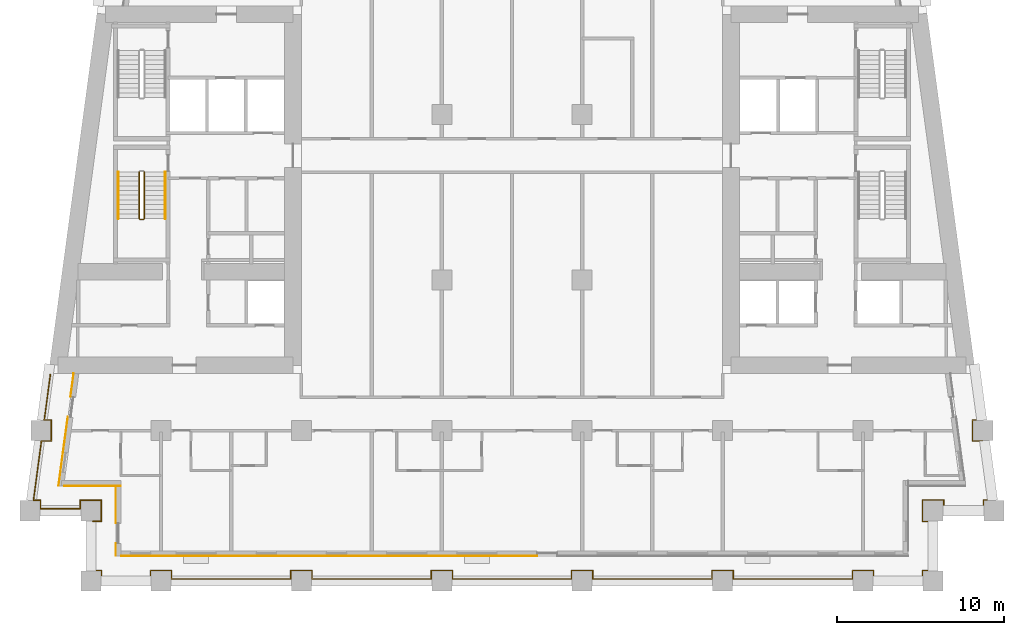
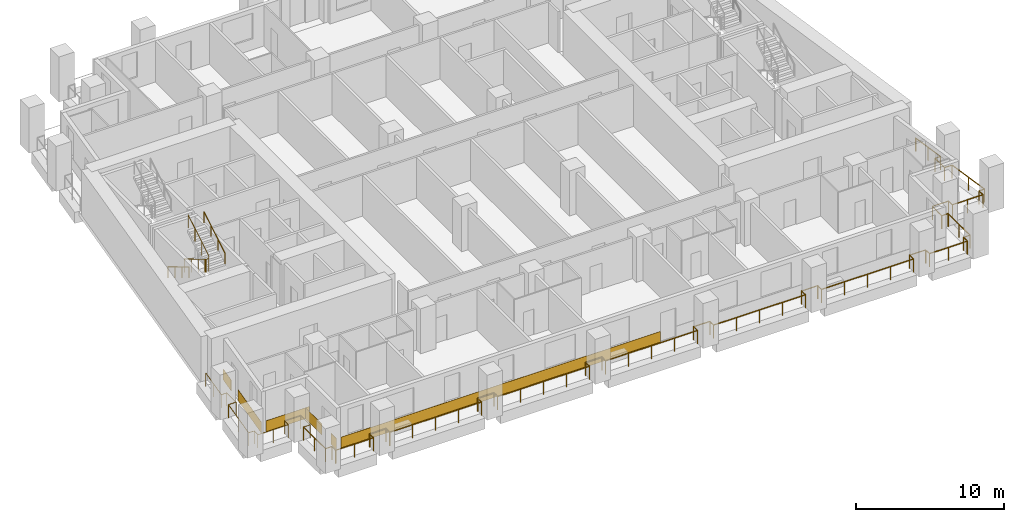
# One storey, part 9 of 13: 6 coverings, 5 railings.
"""IFC4 building model written with IfcOpenShell, lengths in metres."""

from ifc_helpers import new_model, si_unit, direction, frame, origin, origin_2d, place, context, subcontext, project, spatial, rectangle, circle, extrude, material, layer, layer_set, type_object, element, save


model = new_model("IFC4")

# Units and contexts
model_context = context("Model", 3, precision=1e-05, world=origin(), true_north=direction((0.0, 1.0)))
body_context = subcontext(model_context, "Body", "Model", "MODEL_VIEW")
ifc_project = project(units=[si_unit("LENGTHUNIT", "METRE"), si_unit("AREAUNIT", "SQUARE_METRE"), si_unit("VOLUMEUNIT", "CUBIC_METRE"), si_unit("PLANEANGLEUNIT", "RADIAN"), si_unit("MASSUNIT", "GRAM", prefix="KILO")], contexts=[model_context])

# Site, building, storey
site_placement = place(None, origin())
site = spatial("IfcSite", under=ifc_project, at=site_placement, CompositionType="ELEMENT")
building_placement = place(site_placement, origin())
building = spatial("IfcBuilding", under=site, at=building_placement, Name="Candeia Pilgrim Tower and Theatre", CompositionType="ELEMENT")
storey_placement = place(building_placement, frame((0.0, 0.0, 98.39990234375)))
storey = spatial("IfcBuildingStorey", under=building, at=storey_placement, Name="L22", CompositionType="ELEMENT", Elevation=98.39990234375)

# Railings
ifc_material_1 = material(Name="Stainless steel balustrade", Category="steel")
railing_type_1 = type_object("IfcRailingType", Name="G1 loggia guard 1100", PredefinedType="GUARDRAIL", material=ifc_material_1)
railing_1_placement = place(storey_placement, frame((88.320068359375, 101.570068359375, 0.0)))
element("IfcRailing", 1, at=railing_1_placement, inside=storey, type_object=railing_type_1, Name="Guard L22.1", PredefinedType="GUARDRAIL", context=body_context, shape_type="SweptSolid", body=[
    extrude(circle(Radius=0.02392578125, at=origin_2d()), frame((0.0, 0.0, 1.076171875), z_axis=(1.0, 0.0, 0.0), x_axis=(0.0, 1.0, 0.0)), (0.0, 0.0, 1.0), 0.510009765625),
    extrude(circle(Radius=0.02392578125, at=origin_2d()), frame((0.510009765625, 0.0, 1.076171875), z_axis=(0.0, 1.0, 0.0), x_axis=(-1.0, 0.0, 0.0)), (0.0, 0.0, 1.0), 1.260009765625),
    extrude(circle(Radius=0.02392578125, at=origin_2d()), frame((0.510009765625, 1.260009765625, 1.076171875), z_axis=(-1.0, 0.0, 0.0), x_axis=(0.0, -1.0, 0.0)), (0.0, 0.0, 1.0), 1.260009765625),
    extrude(circle(Radius=0.02392578125, at=origin_2d()), frame((-0.75, 1.260009765625, 1.076171875), z_axis=(0.0, -1.0, 0.0), x_axis=(1.0, 0.0, 0.0)), (0.0, 0.0, 1.0), 0.510009765625),
    extrude(circle(Radius=0.02392578125, at=origin_2d()), frame((-0.75, 0.75, 1.076171875), z_axis=(-1.0, 0.0, 0.0), x_axis=(0.0, -1.0, 0.0)), (0.0, 0.0, 1.0), 2.374755859375),
    extrude(circle(Radius=0.02392578125, at=origin_2d()), frame((-3.124755859375, 0.75, 1.076171875), z_axis=(0.0, 1.0, 0.0), x_axis=(-1.0, 0.0, 0.0)), (0.0, 0.0, 1.0), 0.510009765625),
    extrude(circle(Radius=0.02392578125, at=origin_2d()), frame((-3.124755859375, 1.260009765625, 1.076171875), z_axis=(-1.0, 0.0, 0.0), x_axis=(0.0, -1.0, 0.0)), (0.0, 0.0, 1.0), 0.424072265625),
    extrude(circle(Radius=0.02392578125, at=origin_2d()), frame((-3.548828125, 1.260009765625, 1.076171875), z_axis=(0.133417176173, 0.991059966451, 0.0), x_axis=(-0.991059966451, 0.133417176173, 0.0)), (0.0, 0.0, 1.0), 3.572021484375),
    extrude(circle(Radius=0.02392578125, at=origin_2d()), frame((-3.072265625, 4.800048828125, 1.076171875), z_axis=(1.0, 0.0, 0.0), x_axis=(0.0, 1.0, 0.0)), (0.0, 0.0, 1.0), 0.59375),
    extrude(circle(Radius=0.02392578125, at=origin_2d()), frame((-2.478515625, 4.800048828125, 1.076171875), z_axis=(0.0, 1.0, 0.0), x_axis=(-1.0, 0.0, 0.0)), (0.0, 0.0, 1.0), 1.259765625),
    extrude(circle(Radius=0.02392578125, at=origin_2d()), frame((-2.478515625, 6.059814453125, 1.076171875), z_axis=(-1.0, 0.0, 0.0), x_axis=(0.0, -1.0, 0.0)), (0.0, 0.0, 1.0), 0.424072265625),
    extrude(circle(Radius=0.02392578125, at=origin_2d()), frame((-2.902587890625, 6.059814453125, 1.076171875), z_axis=(0.1334220927, 0.991059304572, 0.0), x_axis=(-0.991059304572, 0.1334220927, 0.0)), (0.0, 0.0, 1.0), 2.744873046875),
    extrude(circle(Radius=0.02099609375, at=origin_2d()), origin(), (0.0, 0.0, 1.0), 1.052001953125),
    extrude(circle(Radius=0.02099609375, at=origin_2d()), frame((0.510009765625, 0.0, 0.0)), (0.0, 0.0, 1.0), 1.052001953125),
    extrude(circle(Radius=0.02099609375, at=origin_2d()), frame((0.510009765625, 1.260009765625, 0.0)), (0.0, 0.0, 1.0), 1.052001953125),
    extrude(circle(Radius=0.02099609375, at=origin_2d()), frame((-0.75, 1.260009765625, 0.0)), (0.0, 0.0, 1.0), 1.052001953125),
    extrude(circle(Radius=0.02099609375, at=origin_2d()), frame((-0.75, 0.75, 0.0)), (0.0, 0.0, 1.0), 1.052001953125),
    extrude(circle(Radius=0.02099609375, at=origin_2d()), frame((-1.9375, 0.75, 0.0)), (0.0, 0.0, 1.0), 1.052001953125),
    extrude(circle(Radius=0.02099609375, at=origin_2d()), frame((-3.124755859375, 0.75, 0.0)), (0.0, 0.0, 1.0), 1.052001953125),
    extrude(circle(Radius=0.02099609375, at=origin_2d()), frame((-3.124755859375, 1.260009765625, 0.0)), (0.0, 0.0, 1.0), 1.052001953125),
    extrude(circle(Radius=0.02099609375, at=origin_2d()), frame((-3.548828125, 1.260009765625, 0.0)), (0.0, 0.0, 1.0), 1.052001953125),
    extrude(circle(Radius=0.02099609375, at=origin_2d()), frame((-3.310546875, 3.030029296875, 0.0)), (0.0, 0.0, 1.0), 1.052001953125),
    extrude(circle(Radius=0.02099609375, at=origin_2d()), frame((-3.072265625, 4.800048828125, 0.0)), (0.0, 0.0, 1.0), 1.052001953125),
    extrude(circle(Radius=0.02099609375, at=origin_2d()), frame((-2.478515625, 4.800048828125, 0.0)), (0.0, 0.0, 1.0), 1.052001953125),
    extrude(circle(Radius=0.02099609375, at=origin_2d()), frame((-2.478515625, 6.059814453125, 0.0)), (0.0, 0.0, 1.0), 1.052001953125),
    extrude(circle(Radius=0.02099609375, at=origin_2d()), frame((-2.902587890625, 6.059814453125, 0.0)), (0.0, 0.0, 1.0), 1.052001953125),
    extrude(circle(Radius=0.02099609375, at=origin_2d()), frame((-2.719482421875, 7.419921875, 0.0)), (0.0, 0.0, 1.0), 1.052001953125),
    extrude(circle(Radius=0.02099609375, at=origin_2d()), frame((-2.536376953125, 8.780029296875, 0.0)), (0.0, 0.0, 1.0), 1.052001953125),
])
railing_2_placement = place(storey_placement, frame((141.016357421875, 110.35009765625, 0.0)))
element("IfcRailing", 2, at=railing_2_placement, inside=storey, type_object=railing_type_1, Name="Guard L22.4", PredefinedType="GUARDRAIL", context=body_context, shape_type="SweptSolid", body=[
    extrude(circle(Radius=0.02392578125, at=origin_2d()), frame((0.0, 0.0, 1.076171875), z_axis=(0.1334220927, -0.991059304572, 0.0), x_axis=(0.991059304572, 0.1334220927, 0.0)), (0.0, 0.0, 1.0), 2.744873046875),
    extrude(circle(Radius=0.02392578125, at=origin_2d()), frame((0.3662109375, -2.72021484375, 1.076171875), z_axis=(-1.0, 0.0, 0.0), x_axis=(0.0, -1.0, 0.0)), (0.0, 0.0, 1.0), 0.424072265625),
    extrude(circle(Radius=0.02392578125, at=origin_2d()), frame((-0.057861328125, -2.72021484375, 1.076171875), z_axis=(0.0, -1.0, 0.0), x_axis=(1.0, 0.0, 0.0)), (0.0, 0.0, 1.0), 1.259765625),
    extrude(circle(Radius=0.02392578125, at=origin_2d()), frame((-0.057861328125, -3.97998046875, 1.076171875), z_axis=(1.0, 0.0, 0.0), x_axis=(0.0, 1.0, 0.0)), (0.0, 0.0, 1.0), 0.59375),
    extrude(circle(Radius=0.02392578125, at=origin_2d()), frame((0.535888671875, -3.97998046875, 1.076171875), z_axis=(0.133417176173, -0.991059966451, 0.0), x_axis=(0.991059966451, 0.133417176173, 0.0)), (0.0, 0.0, 1.0), 3.572021484375),
    extrude(circle(Radius=0.02392578125, at=origin_2d()), frame((1.012451171875, -7.52001953125, 1.076171875), z_axis=(-1.0, 0.0, 0.0), x_axis=(0.0, -1.0, 0.0)), (0.0, 0.0, 1.0), 0.424072265625),
    extrude(circle(Radius=0.02392578125, at=origin_2d()), frame((0.58837890625, -7.52001953125, 1.076171875), z_axis=(0.0, -1.0, 0.0), x_axis=(1.0, 0.0, 0.0)), (0.0, 0.0, 1.0), 0.510009765625),
    extrude(circle(Radius=0.02392578125, at=origin_2d()), frame((0.58837890625, -8.030029296875, 1.076171875), z_axis=(-1.0, 0.0, 0.0), x_axis=(0.0, -1.0, 0.0)), (0.0, 0.0, 1.0), 2.374755859375),
    extrude(circle(Radius=0.02392578125, at=origin_2d()), frame((-1.786376953125, -8.030029296875, 1.076171875), z_axis=(0.0, 1.0, 0.0), x_axis=(-1.0, 0.0, 0.0)), (0.0, 0.0, 1.0), 0.510009765625),
    extrude(circle(Radius=0.02392578125, at=origin_2d()), frame((-1.786376953125, -7.52001953125, 1.076171875), z_axis=(-1.0, 0.0, 0.0), x_axis=(0.0, -1.0, 0.0)), (0.0, 0.0, 1.0), 1.260009765625),
    extrude(circle(Radius=0.02392578125, at=origin_2d()), frame((-3.04638671875, -7.52001953125, 1.076171875), z_axis=(0.0, -1.0, 0.0), x_axis=(1.0, 0.0, 0.0)), (0.0, 0.0, 1.0), 1.260009765625),
    extrude(circle(Radius=0.02392578125, at=origin_2d()), frame((-3.04638671875, -8.780029296875, 1.076171875), z_axis=(1.0, 0.0, 0.0), x_axis=(0.0, 1.0, 0.0)), (0.0, 0.0, 1.0), 0.510009765625),
    extrude(circle(Radius=0.02392578125, at=origin_2d()), frame((-2.536376953125, -8.780029296875, 1.076171875), z_axis=(0.0, -1.0, 0.0), x_axis=(1.0, 0.0, 0.0)), (0.0, 0.0, 1.0), 2.940185546875),
    extrude(circle(Radius=0.02392578125, at=origin_2d()), frame((-2.536376953125, -11.72021484375, 1.076171875), z_axis=(-1.0, 0.0, 0.0), x_axis=(0.0, -1.0, 0.0)), (0.0, 0.0, 1.0), 0.510009765625),
    extrude(circle(Radius=0.02392578125, at=origin_2d()), frame((-3.04638671875, -11.72021484375, 1.076171875), z_axis=(0.0, -1.0, 0.0), x_axis=(1.0, 0.0, 0.0)), (0.0, 0.0, 1.0), 0.509765625),
    extrude(circle(Radius=0.02392578125, at=origin_2d()), frame((-3.04638671875, -12.22998046875, 1.076171875), z_axis=(-1.0, 0.0, 0.0), x_axis=(0.0, -1.0, 0.0)), (0.0, 0.0, 1.0), 2.93994140625),
    extrude(circle(Radius=0.02392578125, at=origin_2d()), frame((-5.986328125, -12.22998046875, 1.076171875), z_axis=(0.0, 1.0, 0.0), x_axis=(-1.0, 0.0, 0.0)), (0.0, 0.0, 1.0), 0.509765625),
    extrude(circle(Radius=0.02392578125, at=origin_2d()), frame((-5.986328125, -11.72021484375, 1.076171875), z_axis=(-1.0, 0.0, 0.0), x_axis=(0.0, -1.0, 0.0)), (0.0, 0.0, 1.0), 1.260009765625),
    extrude(circle(Radius=0.02392578125, at=origin_2d()), frame((-7.246337890625, -11.72021484375, 1.076171875), z_axis=(0.0, -1.0, 0.0), x_axis=(1.0, 0.0, 0.0)), (0.0, 0.0, 1.0), 0.509765625),
    extrude(circle(Radius=0.02392578125, at=origin_2d()), frame((-7.246337890625, -12.22998046875, 1.076171875), z_axis=(-1.0, 0.0, 0.0), x_axis=(0.0, -1.0, 0.0)), (0.0, 0.0, 1.0), 7.14013671875),
    extrude(circle(Radius=0.02392578125, at=origin_2d()), frame((-14.386474609375, -12.22998046875, 1.076171875), z_axis=(0.0, 1.0, 0.0), x_axis=(-1.0, 0.0, 0.0)), (0.0, 0.0, 1.0), 0.509765625),
    extrude(circle(Radius=0.02392578125, at=origin_2d()), frame((-14.386474609375, -11.72021484375, 1.076171875), z_axis=(-1.0, 0.0, 0.0), x_axis=(0.0, -1.0, 0.0)), (0.0, 0.0, 1.0), 1.259765625),
    extrude(circle(Radius=0.02392578125, at=origin_2d()), frame((-15.646240234375, -11.72021484375, 1.076171875), z_axis=(0.0, -1.0, 0.0), x_axis=(1.0, 0.0, 0.0)), (0.0, 0.0, 1.0), 0.509765625),
    extrude(circle(Radius=0.02392578125, at=origin_2d()), frame((-15.646240234375, -12.22998046875, 1.076171875), z_axis=(-1.0, 0.0, 0.0), x_axis=(0.0, -1.0, 0.0)), (0.0, 0.0, 1.0), 7.14013671875),
    extrude(circle(Radius=0.02392578125, at=origin_2d()), frame((-22.786376953125, -12.22998046875, 1.076171875), z_axis=(0.0, 1.0, 0.0), x_axis=(-1.0, 0.0, 0.0)), (0.0, 0.0, 1.0), 0.509765625),
    extrude(circle(Radius=0.02392578125, at=origin_2d()), frame((-22.786376953125, -11.72021484375, 1.076171875), z_axis=(-1.0, 0.0, 0.0), x_axis=(0.0, -1.0, 0.0)), (0.0, 0.0, 1.0), 1.260009765625),
    extrude(circle(Radius=0.02392578125, at=origin_2d()), frame((-24.04638671875, -11.72021484375, 1.076171875), z_axis=(0.0, -1.0, 0.0), x_axis=(1.0, 0.0, 0.0)), (0.0, 0.0, 1.0), 0.509765625),
    extrude(circle(Radius=0.02392578125, at=origin_2d()), frame((-24.04638671875, -12.22998046875, 1.076171875), z_axis=(-1.0, 0.0, 0.0), x_axis=(0.0, -1.0, 0.0)), (0.0, 0.0, 1.0), 7.139892578125),
    extrude(circle(Radius=0.02392578125, at=origin_2d()), frame((-31.186279296875, -12.22998046875, 1.076171875), z_axis=(0.0, 1.0, 0.0), x_axis=(-1.0, 0.0, 0.0)), (0.0, 0.0, 1.0), 0.509765625),
    extrude(circle(Radius=0.02392578125, at=origin_2d()), frame((-31.186279296875, -11.72021484375, 1.076171875), z_axis=(-1.0, 0.0, 0.0), x_axis=(0.0, -1.0, 0.0)), (0.0, 0.0, 1.0), 1.260009765625),
    extrude(circle(Radius=0.02392578125, at=origin_2d()), frame((-32.4462890625, -11.72021484375, 1.076171875), z_axis=(0.0, -1.0, 0.0), x_axis=(1.0, 0.0, 0.0)), (0.0, 0.0, 1.0), 0.509765625),
    extrude(circle(Radius=0.02392578125, at=origin_2d()), frame((-32.4462890625, -12.22998046875, 1.076171875), z_axis=(-1.0, 0.0, 0.0), x_axis=(0.0, -1.0, 0.0)), (0.0, 0.0, 1.0), 7.14013671875),
    extrude(circle(Radius=0.02392578125, at=origin_2d()), frame((-39.58642578125, -12.22998046875, 1.076171875), z_axis=(0.0, 1.0, 0.0), x_axis=(-1.0, 0.0, 0.0)), (0.0, 0.0, 1.0), 0.509765625),
    extrude(circle(Radius=0.02392578125, at=origin_2d()), frame((-39.58642578125, -11.72021484375, 1.076171875), z_axis=(-1.0, 0.0, 0.0), x_axis=(0.0, -1.0, 0.0)), (0.0, 0.0, 1.0), 1.260009765625),
    extrude(circle(Radius=0.02392578125, at=origin_2d()), frame((-40.846435546875, -11.72021484375, 1.076171875), z_axis=(0.0, -1.0, 0.0), x_axis=(1.0, 0.0, 0.0)), (0.0, 0.0, 1.0), 0.509765625),
    extrude(circle(Radius=0.02392578125, at=origin_2d()), frame((-40.846435546875, -12.22998046875, 1.076171875), z_axis=(-1.0, 0.0, 0.0), x_axis=(0.0, -1.0, 0.0)), (0.0, 0.0, 1.0), 7.139892578125),
    extrude(circle(Radius=0.02392578125, at=origin_2d()), frame((-47.986328125, -12.22998046875, 1.076171875), z_axis=(0.0, 1.0, 0.0), x_axis=(-1.0, 0.0, 0.0)), (0.0, 0.0, 1.0), 0.509765625),
    extrude(circle(Radius=0.02392578125, at=origin_2d()), frame((-47.986328125, -11.72021484375, 1.076171875), z_axis=(-1.0, 0.0, 0.0), x_axis=(0.0, -1.0, 0.0)), (0.0, 0.0, 1.0), 1.260009765625),
    extrude(circle(Radius=0.02392578125, at=origin_2d()), frame((-49.246337890625, -11.72021484375, 1.076171875), z_axis=(0.0, -1.0, 0.0), x_axis=(1.0, 0.0, 0.0)), (0.0, 0.0, 1.0), 0.509765625),
    extrude(circle(Radius=0.02392578125, at=origin_2d()), frame((-49.246337890625, -12.22998046875, 1.076171875), z_axis=(-1.0, 0.0, 0.0), x_axis=(0.0, -1.0, 0.0)), (0.0, 0.0, 1.0), 2.93994140625),
    extrude(circle(Radius=0.02392578125, at=origin_2d()), frame((-52.186279296875, -12.22998046875, 1.076171875), z_axis=(0.0, 1.0, 0.0), x_axis=(-1.0, 0.0, 0.0)), (0.0, 0.0, 1.0), 0.509765625),
    extrude(circle(Radius=0.02392578125, at=origin_2d()), frame((-52.186279296875, -11.72021484375, 1.076171875), z_axis=(-1.0, 0.0, 0.0), x_axis=(0.0, -1.0, 0.0)), (0.0, 0.0, 1.0), 0.510009765625),
    extrude(circle(Radius=0.02392578125, at=origin_2d()), frame((-52.6962890625, -11.72021484375, 1.076171875), z_axis=(0.0, 1.0, 0.0), x_axis=(-1.0, 0.0, 0.0)), (0.0, 0.0, 1.0), 2.940185546875),
    extrude(circle(Radius=0.02099609375, at=origin_2d()), origin(), (0.0, 0.0, 1.0), 1.052001953125),
    extrude(circle(Radius=0.02099609375, at=origin_2d()), frame((0.18310546875, -1.360107421875, 0.0)), (0.0, 0.0, 1.0), 1.052001953125),
    extrude(circle(Radius=0.02099609375, at=origin_2d()), frame((0.3662109375, -2.72021484375, 0.0)), (0.0, 0.0, 1.0), 1.052001953125),
    extrude(circle(Radius=0.02099609375, at=origin_2d()), frame((-0.057861328125, -2.72021484375, 0.0)), (0.0, 0.0, 1.0), 1.052001953125),
    extrude(circle(Radius=0.02099609375, at=origin_2d()), frame((-0.057861328125, -3.97998046875, 0.0)), (0.0, 0.0, 1.0), 1.052001953125),
    extrude(circle(Radius=0.02099609375, at=origin_2d()), frame((0.535888671875, -3.97998046875, 0.0)), (0.0, 0.0, 1.0), 1.052001953125),
    extrude(circle(Radius=0.02099609375, at=origin_2d()), frame((0.774169921875, -5.75, 0.0)), (0.0, 0.0, 1.0), 1.052001953125),
    extrude(circle(Radius=0.02099609375, at=origin_2d()), frame((1.012451171875, -7.52001953125, 0.0)), (0.0, 0.0, 1.0), 1.052001953125),
    extrude(circle(Radius=0.02099609375, at=origin_2d()), frame((0.58837890625, -7.52001953125, 0.0)), (0.0, 0.0, 1.0), 1.052001953125),
    extrude(circle(Radius=0.02099609375, at=origin_2d()), frame((0.58837890625, -8.030029296875, 0.0)), (0.0, 0.0, 1.0), 1.052001953125),
    extrude(circle(Radius=0.02099609375, at=origin_2d()), frame((-0.59912109375, -8.030029296875, 0.0)), (0.0, 0.0, 1.0), 1.052001953125),
    extrude(circle(Radius=0.02099609375, at=origin_2d()), frame((-1.786376953125, -8.030029296875, 0.0)), (0.0, 0.0, 1.0), 1.052001953125),
    extrude(circle(Radius=0.02099609375, at=origin_2d()), frame((-1.786376953125, -7.52001953125, 0.0)), (0.0, 0.0, 1.0), 1.052001953125),
    extrude(circle(Radius=0.02099609375, at=origin_2d()), frame((-3.04638671875, -7.52001953125, 0.0)), (0.0, 0.0, 1.0), 1.052001953125),
    extrude(circle(Radius=0.02099609375, at=origin_2d()), frame((-3.04638671875, -8.780029296875, 0.0)), (0.0, 0.0, 1.0), 1.052001953125),
    extrude(circle(Radius=0.02099609375, at=origin_2d()), frame((-2.536376953125, -8.780029296875, 0.0)), (0.0, 0.0, 1.0), 1.052001953125),
    extrude(circle(Radius=0.02099609375, at=origin_2d()), frame((-2.536376953125, -10.25, 0.0)), (0.0, 0.0, 1.0), 1.052001953125),
    extrude(circle(Radius=0.02099609375, at=origin_2d()), frame((-2.536376953125, -11.72021484375, 0.0)), (0.0, 0.0, 1.0), 1.052001953125),
    extrude(circle(Radius=0.02099609375, at=origin_2d()), frame((-3.04638671875, -11.72021484375, 0.0)), (0.0, 0.0, 1.0), 1.052001953125),
    extrude(circle(Radius=0.02099609375, at=origin_2d()), frame((-3.04638671875, -12.22998046875, 0.0)), (0.0, 0.0, 1.0), 1.052001953125),
    extrude(circle(Radius=0.02099609375, at=origin_2d()), frame((-4.516357421875, -12.22998046875, 0.0)), (0.0, 0.0, 1.0), 1.052001953125),
    extrude(circle(Radius=0.02099609375, at=origin_2d()), frame((-5.986328125, -12.22998046875, 0.0)), (0.0, 0.0, 1.0), 1.052001953125),
    extrude(circle(Radius=0.02099609375, at=origin_2d()), frame((-5.986328125, -11.72021484375, 0.0)), (0.0, 0.0, 1.0), 1.052001953125),
    extrude(circle(Radius=0.02099609375, at=origin_2d()), frame((-7.246337890625, -11.72021484375, 0.0)), (0.0, 0.0, 1.0), 1.052001953125),
    extrude(circle(Radius=0.02099609375, at=origin_2d()), frame((-7.246337890625, -12.22998046875, 0.0)), (0.0, 0.0, 1.0), 1.052001953125),
    extrude(circle(Radius=0.02099609375, at=origin_2d()), frame((-9.03125, -12.22998046875, 0.0)), (0.0, 0.0, 1.0), 1.052001953125),
    extrude(circle(Radius=0.02099609375, at=origin_2d()), frame((-10.81640625, -12.22998046875, 0.0)), (0.0, 0.0, 1.0), 1.052001953125),
    extrude(circle(Radius=0.02099609375, at=origin_2d()), frame((-12.6015625, -12.22998046875, 0.0)), (0.0, 0.0, 1.0), 1.052001953125),
    extrude(circle(Radius=0.02099609375, at=origin_2d()), frame((-14.386474609375, -12.22998046875, 0.0)), (0.0, 0.0, 1.0), 1.052001953125),
    extrude(circle(Radius=0.02099609375, at=origin_2d()), frame((-14.386474609375, -11.72021484375, 0.0)), (0.0, 0.0, 1.0), 1.052001953125),
    extrude(circle(Radius=0.02099609375, at=origin_2d()), frame((-15.646240234375, -11.72021484375, 0.0)), (0.0, 0.0, 1.0), 1.052001953125),
    extrude(circle(Radius=0.02099609375, at=origin_2d()), frame((-15.646240234375, -12.22998046875, 0.0)), (0.0, 0.0, 1.0), 1.052001953125),
    extrude(circle(Radius=0.02099609375, at=origin_2d()), frame((-17.43115234375, -12.22998046875, 0.0)), (0.0, 0.0, 1.0), 1.052001953125),
    extrude(circle(Radius=0.02099609375, at=origin_2d()), frame((-19.21630859375, -12.22998046875, 0.0)), (0.0, 0.0, 1.0), 1.052001953125),
    extrude(circle(Radius=0.02099609375, at=origin_2d()), frame((-21.00146484375, -12.22998046875, 0.0)), (0.0, 0.0, 1.0), 1.052001953125),
    extrude(circle(Radius=0.02099609375, at=origin_2d()), frame((-22.786376953125, -12.22998046875, 0.0)), (0.0, 0.0, 1.0), 1.052001953125),
    extrude(circle(Radius=0.02099609375, at=origin_2d()), frame((-22.786376953125, -11.72021484375, 0.0)), (0.0, 0.0, 1.0), 1.052001953125),
    extrude(circle(Radius=0.02099609375, at=origin_2d()), frame((-24.04638671875, -11.72021484375, 0.0)), (0.0, 0.0, 1.0), 1.052001953125),
    extrude(circle(Radius=0.02099609375, at=origin_2d()), frame((-24.04638671875, -12.22998046875, 0.0)), (0.0, 0.0, 1.0), 1.052001953125),
    extrude(circle(Radius=0.02099609375, at=origin_2d()), frame((-25.831298828125, -12.22998046875, 0.0)), (0.0, 0.0, 1.0), 1.052001953125),
    extrude(circle(Radius=0.02099609375, at=origin_2d()), frame((-27.6162109375, -12.22998046875, 0.0)), (0.0, 0.0, 1.0), 1.052001953125),
    extrude(circle(Radius=0.02099609375, at=origin_2d()), frame((-29.4013671875, -12.22998046875, 0.0)), (0.0, 0.0, 1.0), 1.052001953125),
    extrude(circle(Radius=0.02099609375, at=origin_2d()), frame((-31.186279296875, -12.22998046875, 0.0)), (0.0, 0.0, 1.0), 1.052001953125),
    extrude(circle(Radius=0.02099609375, at=origin_2d()), frame((-31.186279296875, -11.72021484375, 0.0)), (0.0, 0.0, 1.0), 1.052001953125),
    extrude(circle(Radius=0.02099609375, at=origin_2d()), frame((-32.4462890625, -11.72021484375, 0.0)), (0.0, 0.0, 1.0), 1.052001953125),
    extrude(circle(Radius=0.02099609375, at=origin_2d()), frame((-32.4462890625, -12.22998046875, 0.0)), (0.0, 0.0, 1.0), 1.052001953125),
    extrude(circle(Radius=0.02099609375, at=origin_2d()), frame((-34.2314453125, -12.22998046875, 0.0)), (0.0, 0.0, 1.0), 1.052001953125),
    extrude(circle(Radius=0.02099609375, at=origin_2d()), frame((-36.016357421875, -12.22998046875, 0.0)), (0.0, 0.0, 1.0), 1.052001953125),
    extrude(circle(Radius=0.02099609375, at=origin_2d()), frame((-37.80126953125, -12.22998046875, 0.0)), (0.0, 0.0, 1.0), 1.052001953125),
    extrude(circle(Radius=0.02099609375, at=origin_2d()), frame((-39.58642578125, -12.22998046875, 0.0)), (0.0, 0.0, 1.0), 1.052001953125),
    extrude(circle(Radius=0.02099609375, at=origin_2d()), frame((-39.58642578125, -11.72021484375, 0.0)), (0.0, 0.0, 1.0), 1.052001953125),
    extrude(circle(Radius=0.02099609375, at=origin_2d()), frame((-40.846435546875, -11.72021484375, 0.0)), (0.0, 0.0, 1.0), 1.052001953125),
    extrude(circle(Radius=0.02099609375, at=origin_2d()), frame((-40.846435546875, -12.22998046875, 0.0)), (0.0, 0.0, 1.0), 1.052001953125),
    extrude(circle(Radius=0.02099609375, at=origin_2d()), frame((-42.63134765625, -12.22998046875, 0.0)), (0.0, 0.0, 1.0), 1.052001953125),
    extrude(circle(Radius=0.02099609375, at=origin_2d()), frame((-44.41650390625, -12.22998046875, 0.0)), (0.0, 0.0, 1.0), 1.052001953125),
    extrude(circle(Radius=0.02099609375, at=origin_2d()), frame((-46.201416015625, -12.22998046875, 0.0)), (0.0, 0.0, 1.0), 1.052001953125),
    extrude(circle(Radius=0.02099609375, at=origin_2d()), frame((-47.986328125, -12.22998046875, 0.0)), (0.0, 0.0, 1.0), 1.052001953125),
    extrude(circle(Radius=0.02099609375, at=origin_2d()), frame((-47.986328125, -11.72021484375, 0.0)), (0.0, 0.0, 1.0), 1.052001953125),
    extrude(circle(Radius=0.02099609375, at=origin_2d()), frame((-49.246337890625, -11.72021484375, 0.0)), (0.0, 0.0, 1.0), 1.052001953125),
    extrude(circle(Radius=0.02099609375, at=origin_2d()), frame((-49.246337890625, -12.22998046875, 0.0)), (0.0, 0.0, 1.0), 1.052001953125),
    extrude(circle(Radius=0.02099609375, at=origin_2d()), frame((-50.71630859375, -12.22998046875, 0.0)), (0.0, 0.0, 1.0), 1.052001953125),
    extrude(circle(Radius=0.02099609375, at=origin_2d()), frame((-52.186279296875, -12.22998046875, 0.0)), (0.0, 0.0, 1.0), 1.052001953125),
    extrude(circle(Radius=0.02099609375, at=origin_2d()), frame((-52.186279296875, -11.72021484375, 0.0)), (0.0, 0.0, 1.0), 1.052001953125),
    extrude(circle(Radius=0.02099609375, at=origin_2d()), frame((-52.6962890625, -11.72021484375, 0.0)), (0.0, 0.0, 1.0), 1.052001953125),
    extrude(circle(Radius=0.02099609375, at=origin_2d()), frame((-52.6962890625, -10.25, 0.0)), (0.0, 0.0, 1.0), 1.052001953125),
    extrude(circle(Radius=0.02099609375, at=origin_2d()), frame((-52.6962890625, -8.780029296875, 0.0)), (0.0, 0.0, 1.0), 1.052001953125),
])

# Coverings
ifc_material_2 = material(Name="Glazed ceramic tile red")
ifc_layer = layer(ifc_material_2, 0.02001953125)
ifc_layer_set = layer_set([ifc_layer], Name="Glazed ceramic tile red")
covering_type = type_object("IfcCoveringType", Name="Glazed ceramic tile red", PredefinedType="CLADDING", material=ifc_layer_set)
covering_1_placement = place(storey_placement, frame((102.4599609375, 99.489990234375, 0.000244140625), z_axis=(0.0, 0.0, 1.0), x_axis=(1.0, 0.0, 0.0)))
element("IfcCovering", 3, at=covering_1_placement, inside=storey, type_object=covering_type, Name="Tile cladding red L22", PredefinedType="CLADDING", context=body_context, shape_type="SweptSolid", body=[
    extrude(rectangle(XDim=24.8798828125, YDim=0.02001953125, at=origin_2d()), origin(), (0.0, 0.0, 1.0), 0.89990234375),
])
covering_2_placement = place(storey_placement, frame((87.0810546875, 109.71875, 0.000244140625), z_axis=(0.0, 0.0, 1.0), x_axis=(-0.133412012145, -0.991060661622, 0.0)))
element("IfcCovering", 4, at=covering_2_placement, inside=storey, type_object=covering_type, Name="Tile cladding red L22", PredefinedType="CLADDING", context=body_context, shape_type="SweptSolid", body=[
    extrude(rectangle(XDim=1.41796875, YDim=0.02001953125, at=origin_2d()), origin(), (0.0, 0.0, 1.0), 0.89990234375),
])
covering_3_placement = place(storey_placement, frame((86.548583984375, 105.763916015625, 0.000244140625), z_axis=(0.0, 0.0, 1.0), x_axis=(-0.133412012145, -0.991060661622, 0.0)))
element("IfcCovering", 5, at=covering_3_placement, inside=storey, type_object=covering_type, Name="Tile cladding red L22", PredefinedType="CLADDING", context=body_context, shape_type="SweptSolid", body=[
    extrude(rectangle(XDim=4.16259765625, YDim=0.02001953125, at=origin_2d()), origin(), (0.0, 0.0, 1.0), 0.89990234375),
])
covering_4_placement = place(storey_placement, frame((88.311279296875, 103.68994140625, 0.000244140625), z_axis=(0.0, 0.0, 1.0), x_axis=(1.0, 0.0, 0.0)))
element("IfcCovering", 6, at=covering_4_placement, inside=storey, type_object=covering_type, Name="Tile cladding red L22", PredefinedType="CLADDING", context=body_context, shape_type="SweptSolid", body=[
    extrude(rectangle(XDim=3.377685546875, YDim=0.02001953125, at=origin_2d()), origin(), (0.0, 0.0, 1.0), 0.89990234375),
])
covering_5_placement = place(storey_placement, frame((89.68994140625, 102.56494140625, 0.000244140625), z_axis=(0.0, 0.0, 1.0), x_axis=(0.0, -1.0, 0.0)))
element("IfcCovering", 7, at=covering_5_placement, inside=storey, type_object=covering_type, Name="Tile cladding red L22", PredefinedType="CLADDING", context=body_context, shape_type="SweptSolid", body=[
    extrude(rectangle(XDim=2.22998046875, YDim=0.02001953125, at=origin_2d()), origin(), (0.0, 0.0, 1.0), 0.89990234375),
])
covering_6_placement = place(storey_placement, frame((89.68994140625, 99.875, 0.000244140625), z_axis=(0.0, 0.0, 1.0), x_axis=(0.0, -1.0, 0.0)))
element("IfcCovering", 8, at=covering_6_placement, inside=storey, type_object=covering_type, Name="Tile cladding red L22", PredefinedType="CLADDING", context=body_context, shape_type="SweptSolid", body=[
    extrude(rectangle(XDim=0.75, YDim=0.02001953125, at=origin_2d()), origin(), (0.0, 0.0, 1.0), 0.89990234375),
])

# Railings
railing_type_2 = type_object("IfcRailingType", Name="RL-GUARD-1100", PredefinedType="GUARDRAIL", material=ifc_material_1)
railing_3_placement = place(storey_placement, frame((91.10205078125, 122.47509765625, 0.168212890625)))
element("IfcRailing", 9, at=railing_3_placement, inside=storey, type_object=railing_type_2, Name="L22 ST1 stair guard 1", PredefinedType="GUARDRAIL", context=body_context, shape_type="SweptSolid", body=[
    extrude(circle(Radius=0.02392578125, at=origin_2d()), frame((0.0, 0.0, 1.076171875), z_axis=(0.0, -0.857242210791, 0.514913383045), x_axis=(1.0, 0.0, 0.0)), (0.0, 0.0, 1.0), 3.266357421875),
    extrude(circle(Radius=0.02392578125, at=origin_2d()), frame((0.0, -2.800048828125, 2.7578125), z_axis=(0.707106781187, -0.707106781187, 0.0), x_axis=(0.707106781187, 0.707106781187, 0.0)), (0.0, 0.0, 1.0), 0.07080078125),
    extrude(circle(Radius=0.02392578125, at=origin_2d()), frame((0.050048828125, -2.85009765625, 2.7578125), z_axis=(1.0, 0.0, 0.0), x_axis=(0.0, 1.0, 0.0)), (0.0, 0.0, 1.0), 0.199951171875),
    extrude(circle(Radius=0.02392578125, at=origin_2d()), frame((0.25, -2.85009765625, 2.7578125), z_axis=(0.274243871929, 0.274243871929, 0.92172696468), x_axis=(-0.707106781187, 0.707106781187, 0.0)), (0.0, 0.0, 1.0), 0.1826171875),
    extrude(circle(Radius=0.02392578125, at=origin_2d()), frame((0.300048828125, -2.800048828125, 2.92626953125), z_axis=(0.0, 0.857242210791, 0.514913383045), x_axis=(-1.0, 0.0, 0.0)), (0.0, 0.0, 1.0), 3.266357421875),
    extrude(circle(Radius=0.02099609375, at=origin_2d()), origin(), (0.0, 0.0, 1.0), 1.052001953125),
    extrude(circle(Radius=0.02099609375, at=origin_2d()), frame((0.0, -0.933349609375, 0.560546875)), (0.0, 0.0, 1.0), 1.052001953125),
    extrude(circle(Radius=0.02099609375, at=origin_2d()), frame((0.0, -1.86669921875, 1.121337890625)), (0.0, 0.0, 1.0), 1.052001953125),
    extrude(circle(Radius=0.02099609375, at=origin_2d()), frame((0.0, -2.800048828125, 1.681884765625)), (0.0, 0.0, 1.0), 1.052001953125),
    extrude(circle(Radius=0.02099609375, at=origin_2d()), frame((0.050048828125, -2.85009765625, 1.681884765625)), (0.0, 0.0, 1.0), 1.052001953125),
    extrude(circle(Radius=0.02099609375, at=origin_2d()), frame((0.25, -2.85009765625, 1.681884765625)), (0.0, 0.0, 1.0), 1.052001953125),
    extrude(circle(Radius=0.02099609375, at=origin_2d()), frame((0.300048828125, -2.800048828125, 1.85009765625)), (0.0, 0.0, 1.0), 1.052001953125),
    extrude(circle(Radius=0.02099609375, at=origin_2d()), frame((0.300048828125, -1.86669921875, 2.41064453125)), (0.0, 0.0, 1.0), 1.052001953125),
    extrude(circle(Radius=0.02099609375, at=origin_2d()), frame((0.300048828125, -0.933349609375, 2.971435546875)), (0.0, 0.0, 1.0), 1.052001953125),
    extrude(circle(Radius=0.02099609375, at=origin_2d()), frame((0.300048828125, 0.0, 3.531982421875)), (0.0, 0.0, 1.0), 1.052001953125),
])
ifc_material_3 = material(Name="Stainless steel handrail", Category="steel")
railing_type_3 = type_object("IfcRailingType", Name="RL-HANDRAIL-900", PredefinedType="HANDRAIL", material=ifc_material_3)
railing_4_placement = place(storey_placement, frame((89.85205078125, 122.47509765625, 0.168212890625)))
element("IfcRailing", 10, at=railing_4_placement, inside=storey, type_object=railing_type_3, Name="L22 ST1 stair handrail 1", PredefinedType="HANDRAIL", context=body_context, shape_type="SweptSolid", body=[
    extrude(circle(Radius=0.02392578125, at=origin_2d()), frame((0.0, 0.0, 0.8759765625), z_axis=(0.0, -0.857242210791, 0.514913383045), x_axis=(1.0, 0.0, 0.0)), (0.0, 0.0, 1.0), 3.266357421875),
    extrude(circle(Radius=0.02099609375, at=origin_2d()), origin(), (0.0, 0.0, 1.0), 0.851806640625),
    extrude(circle(Radius=0.02099609375, at=origin_2d()), frame((0.0, -0.933349609375, 0.560546875)), (0.0, 0.0, 1.0), 0.851806640625),
    extrude(circle(Radius=0.02099609375, at=origin_2d()), frame((0.0, -1.86669921875, 1.121337890625)), (0.0, 0.0, 1.0), 0.851806640625),
    extrude(circle(Radius=0.02099609375, at=origin_2d()), frame((0.0, -2.800048828125, 1.681884765625)), (0.0, 0.0, 1.0), 0.851806640625),
])
railing_5_placement = place(storey_placement, frame((92.652099609375, 119.675048828125, 2.018310546875)))
element("IfcRailing", 11, at=railing_5_placement, inside=storey, type_object=railing_type_3, Name="L22 ST1 stair handrail 2", PredefinedType="HANDRAIL", context=body_context, shape_type="SweptSolid", body=[
    extrude(circle(Radius=0.02392578125, at=origin_2d()), frame((0.0, 0.0, 0.8759765625), z_axis=(0.0, 0.857242210791, 0.514913383045), x_axis=(-1.0, 0.0, 0.0)), (0.0, 0.0, 1.0), 3.266357421875),
    extrude(circle(Radius=0.02099609375, at=origin_2d()), origin(), (0.0, 0.0, 1.0), 0.851806640625),
    extrude(circle(Radius=0.02099609375, at=origin_2d()), frame((0.0, 0.933349609375, 0.560546875)), (0.0, 0.0, 1.0), 0.851806640625),
    extrude(circle(Radius=0.02099609375, at=origin_2d()), frame((0.0, 1.86669921875, 1.121337890625)), (0.0, 0.0, 1.0), 0.851806640625),
    extrude(circle(Radius=0.02099609375, at=origin_2d()), frame((0.0, 2.800048828125, 1.681884765625)), (0.0, 0.0, 1.0), 0.851806640625),
])

save(model, "model.ifc")
